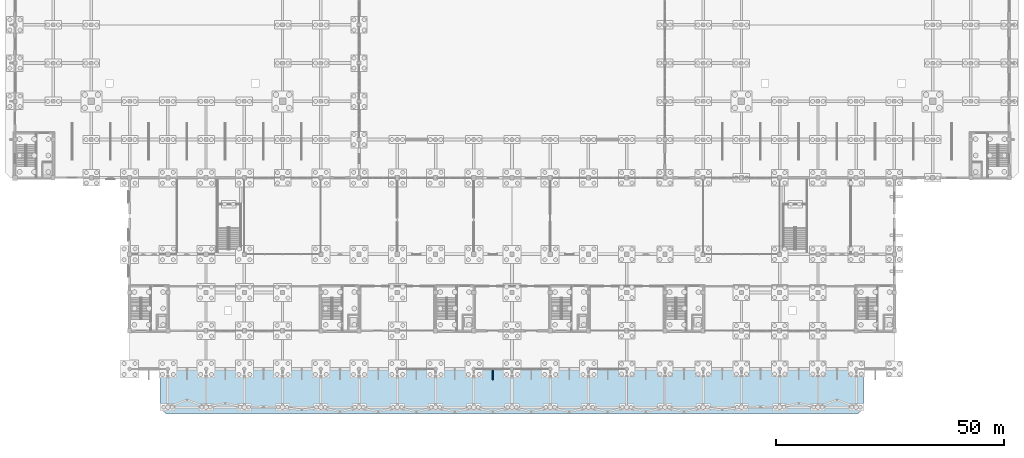
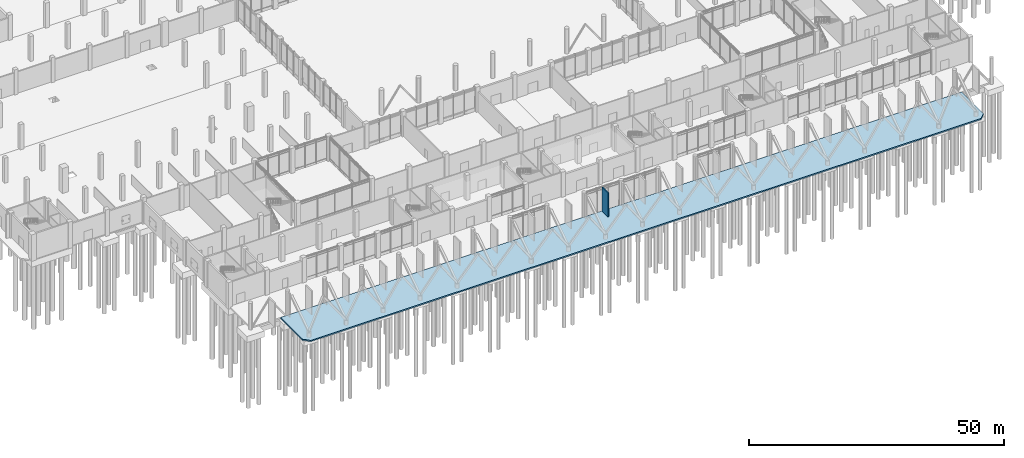
# One storey, part 39 of 72: 1 plate, 1 slab.
"""IFC4 building model written with IfcOpenShell, lengths in metres."""

from ifc_helpers import new_model, si_unit, direction, frame, frame_2d, origin, place, context, subcontext, project, spatial, polyline, rectangle, outline, extrude, material, layer, layer_set, type_object, element, save


model = new_model("IFC4")

# Units and contexts
model_context = context("Model", 3, precision=1e-05, world=origin(), true_north=direction((0.0, 1.0)))
body_context = subcontext(model_context, "Body", "Model", "MODEL_VIEW")
ifc_project = project(units=[si_unit("LENGTHUNIT", "METRE"), si_unit("AREAUNIT", "SQUARE_METRE"), si_unit("VOLUMEUNIT", "CUBIC_METRE"), si_unit("PLANEANGLEUNIT", "RADIAN"), si_unit("MASSUNIT", "GRAM", prefix="KILO")], contexts=[model_context])

# Site, building, storey
site_placement = place(None, origin())
site = spatial("IfcSite", under=ifc_project, at=site_placement, CompositionType="ELEMENT")
building_placement = place(site_placement, origin())
building = spatial("IfcBuilding", under=site, at=building_placement, Name="Qawsi Khor Wholesale Market", CompositionType="ELEMENT")
storey_placement = place(building_placement, origin())
storey = spatial("IfcBuildingStorey", under=building, at=storey_placement, Name="L00", CompositionType="ELEMENT", Elevation=0.0)

# Slab
ifc_material_1 = material(Name="Concrete C45/55", Category="concrete")
ifc_layer_1 = layer(ifc_material_1, 0.31005859375, Name="Concrete C45/55")
ifc_layer_set_1 = layer_set([ifc_layer_1], Name="Concrete C45/55")
slab_type = type_object("IfcSlabType", Name="Arcade & Forecourt Structural Deck 310 C45/55", PredefinedType="BASESLAB", material=ifc_layer_set_1)
slab_placement = place(storey_placement, frame((0.0, 0.0, -0.31005859375)))
element("IfcSlab", 1, at=slab_placement, inside=storey, type_object=slab_type, Name="SLB-L00-FORECOURT", PredefinedType="BASESLAB", context=body_context, shape_type="SweptSolid", body=[
    extrude(outline(polyline([(32.0, -8.60009765625), (33.199951171875, -9.800048828125), (185.199951171875, -9.800048828125), (186.39990234375, -8.60009765625), (186.39990234375, 0.0), (32.0, 0.0), (32.0, -8.60009765625)])), origin(), (0.0, 0.0, 1.0), 0.31005859375),
])

# Plate
ifc_material_2 = material(Name="Concrete C40/50", Category="concrete")
ifc_layer_2 = layer(ifc_material_2, 0.260009765625, Name="Concrete C40/50")
ifc_layer_set_2 = layer_set([ifc_layer_2], Name="Concrete C40/50")
plate_type = type_object("IfcPlateType", Name="Sculpted Concrete Solar Buttress Fin 260", PredefinedType="SHEET", material=ifc_layer_set_2)
plate_placement = place(storey_placement, frame((105.0, -2.35009765625, 0.0), z_axis=(0.0, 0.0, 1.0), x_axis=(0.0, 1.0, 0.0)))
element("IfcPlate", 2, at=plate_placement, inside=storey, type_object=plate_type, Name="Boulevard concrete solar buttress fin L00-19", PredefinedType="SHEET", context=body_context, shape_type="SweptSolid", body=[
    extrude(rectangle(XDim=2.3701171875, YDim=0.260009765625, at=frame_2d((1.18505859375, 0.0))), origin(), (0.0, 0.0, 1.0), 5.719970703125),
])

save(model, "model.ifc")
